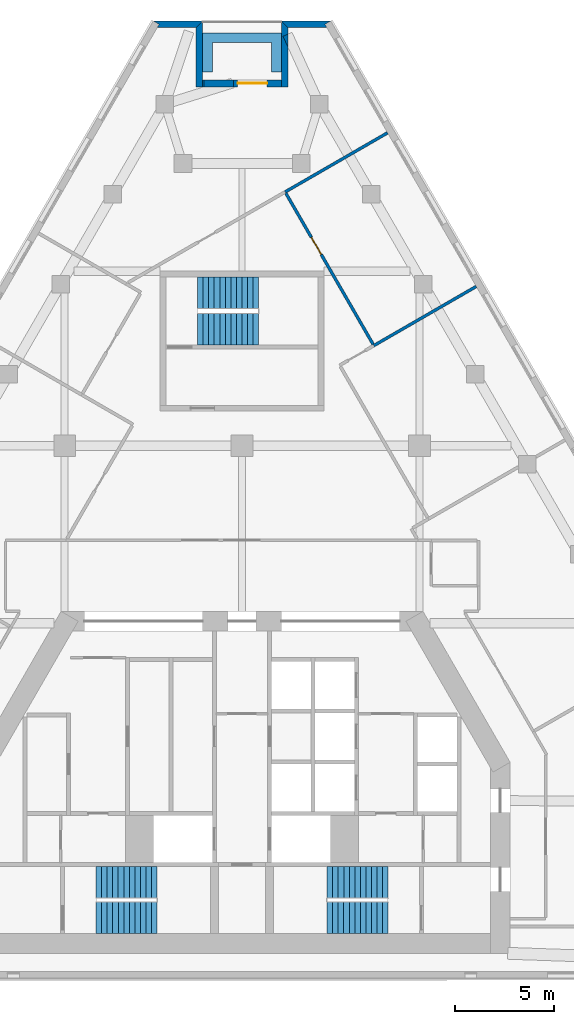
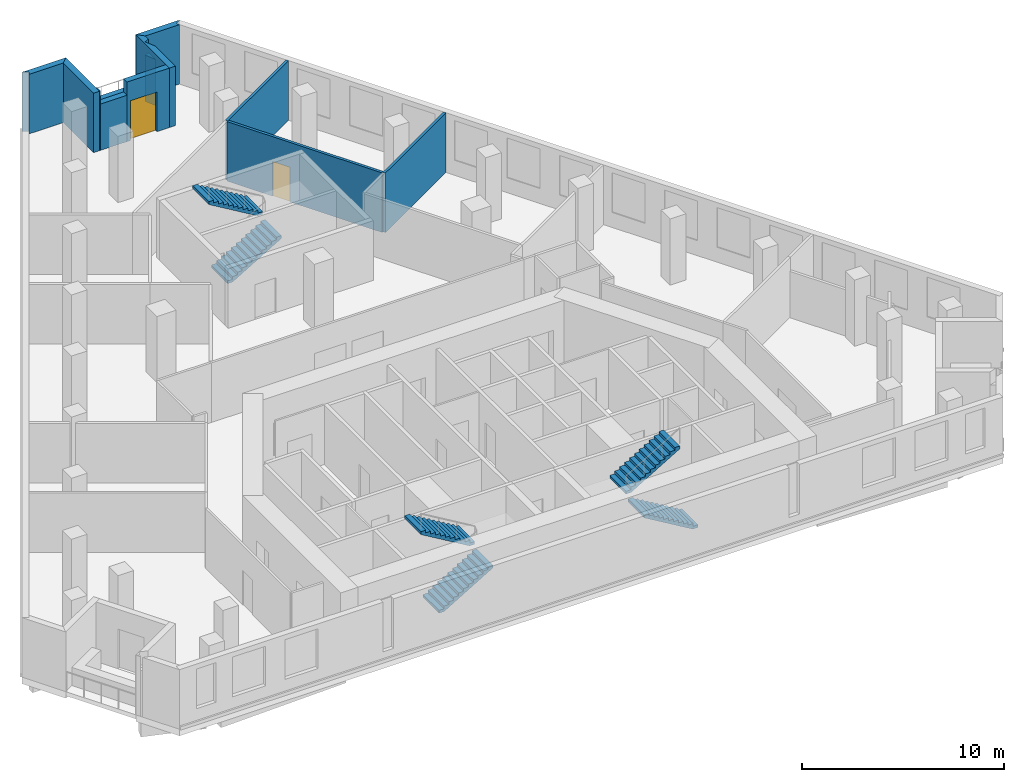
# One storey, part 8 of 9: 12 walls, 6 stair flights, 2 doors, 2 openings, 3 elements without a shape of their own.
"""IFC4 building model written with IfcOpenShell, lengths in metres."""

from ifc_helpers import new_model, si_unit, direction, frame, frame_2d, origin, place, context, subcontext, project, spatial, polyline, rectangle, outline, extrude, material, layer, layer_set, type_object, element, fill, aggregate, save


model = new_model("IFC4")

# Units and contexts
model_context = context("Model", 3, precision=1e-05, world=origin(), true_north=direction((0.0, 1.0)))
body_context = subcontext(model_context, "Body", "Model", "MODEL_VIEW")
ifc_project = project(units=[si_unit("LENGTHUNIT", "METRE"), si_unit("AREAUNIT", "SQUARE_METRE"), si_unit("VOLUMEUNIT", "CUBIC_METRE"), si_unit("PLANEANGLEUNIT", "RADIAN"), si_unit("MASSUNIT", "GRAM", prefix="KILO")], contexts=[model_context])

# Site, building, storey
site_placement = place(None, origin())
site = spatial("IfcSite", under=ifc_project, at=site_placement, CompositionType="ELEMENT")
building_placement = place(site_placement, origin())
building = spatial("IfcBuilding", under=site, at=building_placement, Name="Fogline Exchange Tower", CompositionType="ELEMENT")
storey_placement = place(building_placement, frame((0.0, 0.0, 182.10009765625)))
storey = spatial("IfcBuildingStorey", under=building, at=storey_placement, Name="L40", CompositionType="ELEMENT", Elevation=182.10009765625)

# Walls
ifc_material_1 = material(Name="Brick masonry", Category="masonry")
ifc_layer_1 = layer(ifc_material_1, 0.340087890625)
ifc_layer_set_1 = layer_set([ifc_layer_1], Name="FW1")
wall_type_1 = type_object("IfcWallType", Name="FW1", PredefinedType="SOLIDWALL", material=ifc_layer_set_1)
wall_1_placement = place(storey_placement, origin())
element("IfcWall", 1, at=wall_1_placement, inside=storey, type_object=wall_type_1, Name="Brick wall L40 N-c1", PredefinedType="SOLIDWALL", context=body_context, shape_type="SweptSolid", body=[
    extrude(outline(polyline([(1.9990234375, 48.55224609375), (4.5009765625, 48.55224609375), (4.501220703125, 48.5517578125), (4.206298828125, 48.38134765625), (4.3046875, 48.2109375), (2.33984375, 48.2109375), (1.998779296875, 48.552001953125), (1.9990234375, 48.55224609375)])), origin(), (0.0, 0.0, 1.0), 3.599853515625),
])
wall_2_placement = place(storey_placement, origin())
element("IfcWall", 2, at=wall_2_placement, inside=storey, type_object=wall_type_1, Name="Brick wall L40 N-s1", PredefinedType="SOLIDWALL", context=body_context, shape_type="SweptSolid", body=[
    extrude(outline(polyline([(2.340576171875, 47.19775390625), (2.0791015625, 47.7724609375), (2.340576171875, 47.8916015625), (2.340576171875, 47.19775390625)])), origin(), (0.0, 0.0, 1.0), 2.7998046875),
])
wall_3_placement = place(storey_placement, origin())
element("IfcWall", 3, at=wall_3_placement, inside=storey, type_object=wall_type_1, Name="Brick wall L40 N-s1", PredefinedType="SOLIDWALL", context=body_context, shape_type="SweptSolid", body=[
    extrude(outline(polyline([(1.99951171875, 45.2109375), (1.99951171875, 48.552734375), (1.999755859375, 48.552734375), (2.340576171875, 48.2119140625), (2.340576171875, 47.8916015625), (2.0791015625, 47.7724609375), (2.340576171875, 47.19775390625), (2.340576171875, 45.2109375), (1.99951171875, 45.2109375)])), origin(), (0.0, 0.0, 1.0), 3.599853515625),
])

# Wall, opening, door
wall_4_placement = place(storey_placement, frame((2.0, 45.381591796875, 0.0), z_axis=(0.0, 0.0, 1.0), x_axis=(-1.0, 0.0, 0.0)))
wall_4 = element("IfcWall", 4, at=wall_4_placement, inside=storey, type_object=wall_type_1, Name="Brick wall L40 N-bk", PredefinedType="SOLIDWALL", context=body_context, shape_type="SweptSolid", body=[
    extrude(rectangle(XDim=2.425048828125, YDim=0.340087890625, at=frame_2d((1.21240234375, 0.0))), origin(), (0.0, 0.0, 1.0), 3.599853515625),
])
opening_1_placement = place(wall_4_placement, frame((0.72509765625, 0.0, 0.0)))
opening_1 = element("IfcOpeningElement", 5, at=opening_1_placement, cuts=wall_4, Name="Opening T13-E141", PredefinedType="OPENING", context=body_context, shape_type="SweptSolid", body=[
    extrude(rectangle(XDim=1.5, YDim=2.39990234375, at=frame_2d((0.75, 1.199951171875))), frame((0.0, 0.18017578125, 0.0), z_axis=(0.0, -1.0, 0.0), x_axis=(1.0, 0.0, 0.0)), (0.0, 0.0, 1.0), 0.360107421875),
])
ifc_material_2 = material(Name="Aluminium and glass", Category="aluminium")
door_type_1 = type_object("IfcDoorType", Name="ED4", OperationType="SINGLE_SWING_LEFT", PredefinedType="DOOR", material=ifc_material_2)
door_1_placement = place(opening_1_placement, frame((1.5, 0.0, 0.0), z_axis=(0.0, 0.0, 1.0), x_axis=(-1.0, 0.0, 0.0)))
door_1 = element("IfcDoor", 6, at=door_1_placement, inside=storey, type_object=door_type_1, Name="Balcony door L40 N", OperationType="DOUBLE_DOOR_SINGLE_SWING", OverallHeight=2.39990234375, OverallWidth=1.5, PredefinedType="DOOR", context=body_context, shape_type="SweptSolid", body=[
    extrude(rectangle(XDim=1.5, YDim=2.39990234375, at=frame_2d((0.75, 1.199951171875))), frame((0.0, 0.02490234375, 0.0), z_axis=(0.0, -1.0, 0.0), x_axis=(1.0, 0.0, 0.0)), (0.0, 0.0, 1.0), 0.050048828125),
])
fill(opening_1, door_1)

# Walls
wall_5_placement = place(storey_placement, frame((-0.425048828125, 45.381591796875, 0.0), z_axis=(0.0, 0.0, 1.0), x_axis=(-1.0, 0.0, 0.0)))
element("IfcWall", 7, at=wall_5_placement, inside=storey, type_object=wall_type_1, Name="Brick wall L40 N-bk", PredefinedType="SOLIDWALL", context=body_context, shape_type="SweptSolid", body=[
    extrude(rectangle(XDim=1.50634765625, YDim=0.340087890625, at=frame_2d((0.753173828125, 0.0))), origin(), (0.0, 0.0, 1.0), 2.7998046875),
])
wall_6_placement = place(storey_placement, frame((-1.931396484375, 45.381591796875, 0.0), z_axis=(0.0, 0.0, 1.0), x_axis=(-1.0, 0.0, 0.0)))
element("IfcWall", 8, at=wall_6_placement, inside=storey, type_object=wall_type_1, Name="Brick wall L40 N-bk", PredefinedType="SOLIDWALL", context=body_context, shape_type="SweptSolid", body=[
    extrude(rectangle(XDim=0.068603515625, YDim=0.340087890625, at=frame_2d((0.0341796875, 0.0))), origin(), (0.0, 0.0, 1.0), 3.599853515625),
])
wall_7_placement = place(storey_placement, origin())
element("IfcWall", 9, at=wall_7_placement, inside=storey, type_object=wall_type_1, Name="Brick wall L40 N-s2", PredefinedType="SOLIDWALL", context=body_context, shape_type="SweptSolid", body=[
    extrude(outline(polyline([(-1.99951171875, 48.552734375), (-1.99951171875, 45.2109375), (-2.340576171875, 45.2109375), (-2.340576171875, 48.2119140625), (-1.999755859375, 48.552734375), (-1.99951171875, 48.552734375)])), origin(), (0.0, 0.0, 1.0), 3.599853515625),
])
wall_8_placement = place(storey_placement, origin())
element("IfcWall", 10, at=wall_8_placement, inside=storey, type_object=wall_type_1, Name="Brick wall L40 N-c2", PredefinedType="SOLIDWALL", context=body_context, shape_type="SweptSolid", body=[
    extrude(outline(polyline([(-4.3046875, 48.2109375), (-4.206298828125, 48.38134765625), (-4.501220703125, 48.5517578125), (-4.5009765625, 48.55224609375), (-1.9990234375, 48.55224609375), (-1.998779296875, 48.552001953125), (-2.33984375, 48.2109375), (-4.3046875, 48.2109375)])), origin(), (0.0, 0.0, 1.0), 3.599853515625),
])
ifc_material_3 = material(Name="Concrete C30", Category="concrete")
ifc_layer_2 = layer(ifc_material_3, 0.199951171875)
ifc_layer_set_2 = layer_set([ifc_layer_2], Name="PL1")
wall_type_2 = type_object("IfcWallType", Name="PL1", PredefinedType="USERDEFINED", material=ifc_layer_set_2)
wall_9_placement = place(storey_placement, origin())
element("IfcWall", 11, at=wall_9_placement, inside=storey, type_object=wall_type_2, Name="PLANTER balcony L40 N", ObjectType="PLANTER", PredefinedType="USERDEFINED", context=body_context, shape_type="SweptSolid", body=[
    extrude(outline(polyline([(-1.5, 47.95166015625), (-2.0, 47.95166015625), (-2.0, 47.45166015625), (-2.0, 45.95166015625), (-1.5, 45.95166015625), (-1.5, 47.45166015625), (1.5, 47.45166015625), (1.5, 45.95166015625), (2.0, 45.95166015625), (2.0, 47.45166015625), (2.0, 47.95166015625), (1.5, 47.95166015625), (-1.5, 47.95166015625)])), origin(), (0.0, 0.0, 1.0), 1.099853515625),
])
ifc_material_4 = material(Name="Plasterboard demising partition with mineral wool and acoustic board")
ifc_layer_3 = layer(ifc_material_4, 0.14990234375)
ifc_layer_set_3 = layer_set([ifc_layer_3], Name="PW3")
wall_type_3 = type_object("IfcWallType", Name="PW3", PredefinedType="PARTITIONING", material=ifc_layer_set_3)
wall_10_placement = place(storey_placement, frame((6.6865234375, 32.084228515625, 0.0), z_axis=(0.0, 0.0, 1.0), x_axis=(0.866031096941, 0.499990139034, 0.0)))
element("IfcWall", 12, at=wall_10_placement, inside=storey, type_object=wall_type_3, Name="wall-L40-W027", PredefinedType="PARTITIONING", context=body_context, shape_type="SweptSolid", body=[
    extrude(rectangle(XDim=6.0, YDim=0.14990234375, at=frame_2d((3.0, 0.0))), origin(), (0.0, 0.0, 1.0), 3.599853515625),
])

# Wall, opening, door
wall_11_placement = place(storey_placement, frame((6.649169921875, 32.1494140625, 0.0), z_axis=(0.0, 0.0, 1.0), x_axis=(-0.50001697323, 0.866015604063, 0.0)))
wall_11 = element("IfcWall", 13, at=wall_11_placement, inside=storey, type_object=wall_type_3, Name="wall-L40-W030", PredefinedType="PARTITIONING", context=body_context, shape_type="SweptSolid", body=[
    extrude(rectangle(XDim=8.849853515625, YDim=0.14990234375, at=frame_2d((4.4248046875, 0.0))), origin(), (0.0, 0.0, 1.0), 3.599853515625),
])
opening_2_placement = place(wall_11_placement, frame((5.26123046875, 0.0, 0.0)))
opening_2 = element("IfcOpeningElement", 14, at=opening_2_placement, cuts=wall_11, Name="Opening T13-D009", PredefinedType="OPENING", context=body_context, shape_type="SweptSolid", body=[
    extrude(rectangle(XDim=1.0, YDim=2.10009765625, at=frame_2d((0.5, 1.050048828125))), frame((0.0, 0.0849609375, 0.0), z_axis=(0.0, -1.0, 0.0), x_axis=(1.0, 0.0, 0.0)), (0.0, 0.0, 1.0), 0.169921875),
])
ifc_material_5 = material(Name="Fire-rated timber door leaf with steel frame", Category="steel")
door_type_2 = type_object("IfcDoorType", Name="D3", OperationType="SINGLE_SWING_LEFT", PredefinedType="DOOR", material=ifc_material_5)
door_2_placement = place(opening_2_placement, frame((1.0, 0.0, 0.0), z_axis=(0.0, 0.0, 1.0), x_axis=(-1.0, 0.0, 0.0)))
door_2 = element("IfcDoor", 15, at=door_2_placement, inside=storey, type_object=door_type_2, Name="door-L40-D009", OperationType="SINGLE_SWING_LEFT", OverallHeight=2.10009765625, OverallWidth=1.0, PredefinedType="DOOR", context=body_context, shape_type="SweptSolid", body=[
    extrude(rectangle(XDim=1.0, YDim=2.10009765625, at=frame_2d((0.5, 1.050048828125))), frame((0.0, 0.02490234375, 0.0), z_axis=(0.0, -1.0, 0.0), x_axis=(1.0, 0.0, 0.0)), (0.0, 0.0, 1.0), 0.050048828125),
])
fill(opening_2, door_2)

# Wall
wall_12_placement = place(storey_placement, frame((2.1865234375, 39.87841796875, 0.0), z_axis=(0.0, 0.0, 1.0), x_axis=(0.866031096941, 0.499990139034, 0.0)))
element("IfcWall", 16, at=wall_12_placement, inside=storey, type_object=wall_type_3, Name="wall-L40-W031", PredefinedType="PARTITIONING", context=body_context, shape_type="SweptSolid", body=[
    extrude(rectangle(XDim=6.0, YDim=0.14990234375, at=frame_2d((3.0, 0.0))), origin(), (0.0, 0.0, 1.0), 3.599853515625),
])

# Stair, stair flights
ifc_material_6 = material(Name="Concrete C40", Category="concrete")
stair_type = type_object("IfcStairType", Name="STR24-1667", PredefinedType="HALF_TURN_STAIR", material=ifc_material_6)
stair_1_placement = place(storey_placement, origin())
stair_1 = element("IfcStair", 17, at=stair_1_placement, inside=storey, type_object=stair_type, Name="Stair ST1", PredefinedType="HALF_TURN_STAIR")
stair_flight_type = type_object("IfcStairFlightType", Name="SF12-1667", PredefinedType="STRAIGHT", material=ifc_material_6)
stair_flight_1_placement = place(storey_placement, frame((-7.39990234375, 3.050048828125, 0.0), z_axis=(0.0, 0.0, 1.0), x_axis=(1.0, 0.0, 0.0)))
stair_flight_1 = element("IfcStairFlight", 18, at=stair_flight_1_placement, type_object=stair_flight_type, Name="ST1 flight 1", NumberOfRisers=12, NumberOfTreads=11, PredefinedType="STRAIGHT", RiserHeight=0.166666667, TreadLength=0.28, context=body_context, shape_type="SweptSolid", body=[
    extrude(outline(polyline([(0.0, 0.0), (0.0, 0.166748046875), (0.280029296875, 0.166748046875), (0.280029296875, 0.333251953125), (0.56005859375, 0.333251953125), (0.56005859375, 0.5), (0.840087890625, 0.5), (0.840087890625, 0.666748046875), (1.1201171875, 0.666748046875), (1.1201171875, 0.833251953125), (1.39990234375, 0.833251953125), (1.39990234375, 1.0), (1.679931640625, 1.0), (1.679931640625, 1.166748046875), (1.9599609375, 1.166748046875), (1.9599609375, 1.333251953125), (2.239990234375, 1.333251953125), (2.239990234375, 1.5), (2.52001953125, 1.5), (2.52001953125, 1.666748046875), (2.800048828125, 1.666748046875), (2.800048828125, 1.833251953125), (3.080078125, 1.833251953125), (3.080078125, 2.0), (3.080078125, 1.658935546875), (0.29296875, 0.0), (0.0, 0.0)])), frame((0.0, 0.800048828125, 0.0), z_axis=(0.0, -1.0, 0.0), x_axis=(1.0, 0.0, 0.0)), (0.0, 0.0, 1.0), 1.60009765625),
])
stair_flight_2_placement = place(storey_placement, frame((-4.320068359375, 4.85009765625, 2.0), z_axis=(0.0, 0.0, 1.0), x_axis=(-1.0, 0.0, 0.0)))
stair_flight_2 = element("IfcStairFlight", 19, at=stair_flight_2_placement, type_object=stair_flight_type, Name="ST1 flight 2", NumberOfRisers=12, NumberOfTreads=11, PredefinedType="STRAIGHT", RiserHeight=0.166666667, TreadLength=0.28, context=body_context, shape_type="SweptSolid", body=[
    extrude(outline(polyline([(0.0, 0.0), (0.0, 0.166748046875), (0.280029296875, 0.166748046875), (0.280029296875, 0.333251953125), (0.56005859375, 0.333251953125), (0.56005859375, 0.5), (0.840087890625, 0.5), (0.840087890625, 0.666748046875), (1.1201171875, 0.666748046875), (1.1201171875, 0.833251953125), (1.39990234375, 0.833251953125), (1.39990234375, 1.0), (1.679931640625, 1.0), (1.679931640625, 1.166748046875), (1.9599609375, 1.166748046875), (1.9599609375, 1.333251953125), (2.239990234375, 1.333251953125), (2.239990234375, 1.5), (2.52001953125, 1.5), (2.52001953125, 1.666748046875), (2.800048828125, 1.666748046875), (2.800048828125, 1.833251953125), (3.080078125, 1.833251953125), (3.080078125, 2.0), (3.080078125, 1.658935546875), (0.29296875, 0.0), (0.0, 0.0)])), frame((0.0, 0.800048828125, 0.0), z_axis=(0.0, -1.0, 0.0), x_axis=(1.0, 0.0, 0.0)), (0.0, 0.0, 1.0), 1.60009765625),
])
aggregate(stair_1, [stair_flight_1, stair_flight_2])

stair_2_placement = place(storey_placement, origin())
stair_2 = element("IfcStair", 20, at=stair_2_placement, inside=storey, type_object=stair_type, Name="Stair ST2", PredefinedType="HALF_TURN_STAIR")
stair_flight_3_placement = place(storey_placement, frame((7.39990234375, 3.050048828125, 0.0), z_axis=(0.0, 0.0, 1.0), x_axis=(-1.0, 0.0, 0.0)))
stair_flight_3 = element("IfcStairFlight", 21, at=stair_flight_3_placement, type_object=stair_flight_type, Name="ST2 flight 1", NumberOfRisers=12, NumberOfTreads=11, PredefinedType="STRAIGHT", RiserHeight=0.166666667, TreadLength=0.28, context=body_context, shape_type="SweptSolid", body=[
    extrude(outline(polyline([(0.0, 0.0), (0.0, 0.166748046875), (0.280029296875, 0.166748046875), (0.280029296875, 0.333251953125), (0.56005859375, 0.333251953125), (0.56005859375, 0.5), (0.840087890625, 0.5), (0.840087890625, 0.666748046875), (1.1201171875, 0.666748046875), (1.1201171875, 0.833251953125), (1.39990234375, 0.833251953125), (1.39990234375, 1.0), (1.679931640625, 1.0), (1.679931640625, 1.166748046875), (1.9599609375, 1.166748046875), (1.9599609375, 1.333251953125), (2.239990234375, 1.333251953125), (2.239990234375, 1.5), (2.52001953125, 1.5), (2.52001953125, 1.666748046875), (2.800048828125, 1.666748046875), (2.800048828125, 1.833251953125), (3.080078125, 1.833251953125), (3.080078125, 2.0), (3.080078125, 1.658935546875), (0.29296875, 0.0), (0.0, 0.0)])), frame((0.0, 0.800048828125, 0.0), z_axis=(0.0, -1.0, 0.0), x_axis=(1.0, 0.0, 0.0)), (0.0, 0.0, 1.0), 1.60009765625),
])
stair_flight_4_placement = place(storey_placement, frame((4.320068359375, 4.85009765625, 2.0), z_axis=(0.0, 0.0, 1.0), x_axis=(1.0, 0.0, 0.0)))
stair_flight_4 = element("IfcStairFlight", 22, at=stair_flight_4_placement, type_object=stair_flight_type, Name="ST2 flight 2", NumberOfRisers=12, NumberOfTreads=11, PredefinedType="STRAIGHT", RiserHeight=0.166666667, TreadLength=0.28, context=body_context, shape_type="SweptSolid", body=[
    extrude(outline(polyline([(0.0, 0.0), (0.0, 0.166748046875), (0.280029296875, 0.166748046875), (0.280029296875, 0.333251953125), (0.56005859375, 0.333251953125), (0.56005859375, 0.5), (0.840087890625, 0.5), (0.840087890625, 0.666748046875), (1.1201171875, 0.666748046875), (1.1201171875, 0.833251953125), (1.39990234375, 0.833251953125), (1.39990234375, 1.0), (1.679931640625, 1.0), (1.679931640625, 1.166748046875), (1.9599609375, 1.166748046875), (1.9599609375, 1.333251953125), (2.239990234375, 1.333251953125), (2.239990234375, 1.5), (2.52001953125, 1.5), (2.52001953125, 1.666748046875), (2.800048828125, 1.666748046875), (2.800048828125, 1.833251953125), (3.080078125, 1.833251953125), (3.080078125, 2.0), (3.080078125, 1.658935546875), (0.29296875, 0.0), (0.0, 0.0)])), frame((0.0, 0.800048828125, 0.0), z_axis=(0.0, -1.0, 0.0), x_axis=(1.0, 0.0, 0.0)), (0.0, 0.0, 1.0), 1.60009765625),
])
aggregate(stair_2, [stair_flight_3, stair_flight_4])

stair_3_placement = place(storey_placement, origin())
stair_3 = element("IfcStair", 23, at=stair_3_placement, inside=storey, type_object=stair_type, Name="Stair ST3", PredefinedType="HALF_TURN_STAIR")
stair_flight_5_placement = place(storey_placement, frame((-2.25, 32.906982421875, 0.0), z_axis=(0.0, 0.0, 1.0), x_axis=(1.0, 0.0, 0.0)))
stair_flight_5 = element("IfcStairFlight", 24, at=stair_flight_5_placement, type_object=stair_flight_type, Name="ST3 flight 1", NumberOfRisers=12, NumberOfTreads=11, PredefinedType="STRAIGHT", RiserHeight=0.166666667, TreadLength=0.28, context=body_context, shape_type="SweptSolid", body=[
    extrude(outline(polyline([(0.0, 0.0), (0.0, 0.166748046875), (0.280029296875, 0.166748046875), (0.280029296875, 0.333251953125), (0.56005859375, 0.333251953125), (0.56005859375, 0.5), (0.840087890625, 0.5), (0.840087890625, 0.666748046875), (1.1201171875, 0.666748046875), (1.1201171875, 0.833251953125), (1.39990234375, 0.833251953125), (1.39990234375, 1.0), (1.679931640625, 1.0), (1.679931640625, 1.166748046875), (1.9599609375, 1.166748046875), (1.9599609375, 1.333251953125), (2.239990234375, 1.333251953125), (2.239990234375, 1.5), (2.52001953125, 1.5), (2.52001953125, 1.666748046875), (2.800048828125, 1.666748046875), (2.800048828125, 1.833251953125), (3.080078125, 1.833251953125), (3.080078125, 2.0), (3.080078125, 1.658935546875), (0.29296875, 0.0), (0.0, 0.0)])), frame((0.0, 0.800048828125, 0.0), z_axis=(0.0, -1.0, 0.0), x_axis=(1.0, 0.0, 0.0)), (0.0, 0.0, 1.0), 1.60009765625),
])
stair_flight_6_placement = place(storey_placement, frame((0.830078125, 34.757080078125, 2.0), z_axis=(0.0, 0.0, 1.0), x_axis=(-1.0, 0.0, 0.0)))
stair_flight_6 = element("IfcStairFlight", 25, at=stair_flight_6_placement, type_object=stair_flight_type, Name="ST3 flight 2", NumberOfRisers=12, NumberOfTreads=11, PredefinedType="STRAIGHT", RiserHeight=0.166666667, TreadLength=0.28, context=body_context, shape_type="SweptSolid", body=[
    extrude(outline(polyline([(0.0, 0.0), (0.0, 0.166748046875), (0.280029296875, 0.166748046875), (0.280029296875, 0.333251953125), (0.56005859375, 0.333251953125), (0.56005859375, 0.5), (0.840087890625, 0.5), (0.840087890625, 0.666748046875), (1.1201171875, 0.666748046875), (1.1201171875, 0.833251953125), (1.39990234375, 0.833251953125), (1.39990234375, 1.0), (1.679931640625, 1.0), (1.679931640625, 1.166748046875), (1.9599609375, 1.166748046875), (1.9599609375, 1.333251953125), (2.239990234375, 1.333251953125), (2.239990234375, 1.5), (2.52001953125, 1.5), (2.52001953125, 1.666748046875), (2.800048828125, 1.666748046875), (2.800048828125, 1.833251953125), (3.080078125, 1.833251953125), (3.080078125, 2.0), (3.080078125, 1.658935546875), (0.29296875, 0.0), (0.0, 0.0)])), frame((0.0, 0.800048828125, 0.0), z_axis=(0.0, -1.0, 0.0), x_axis=(1.0, 0.0, 0.0)), (0.0, 0.0, 1.0), 1.60009765625),
])
aggregate(stair_3, [stair_flight_5, stair_flight_6])

save(model, "model.ifc")
